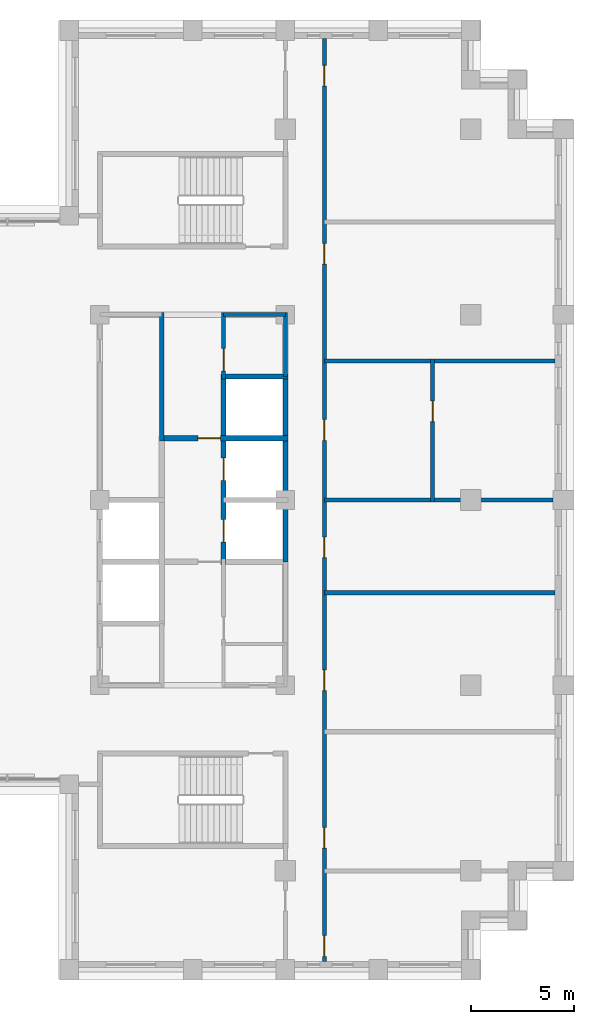
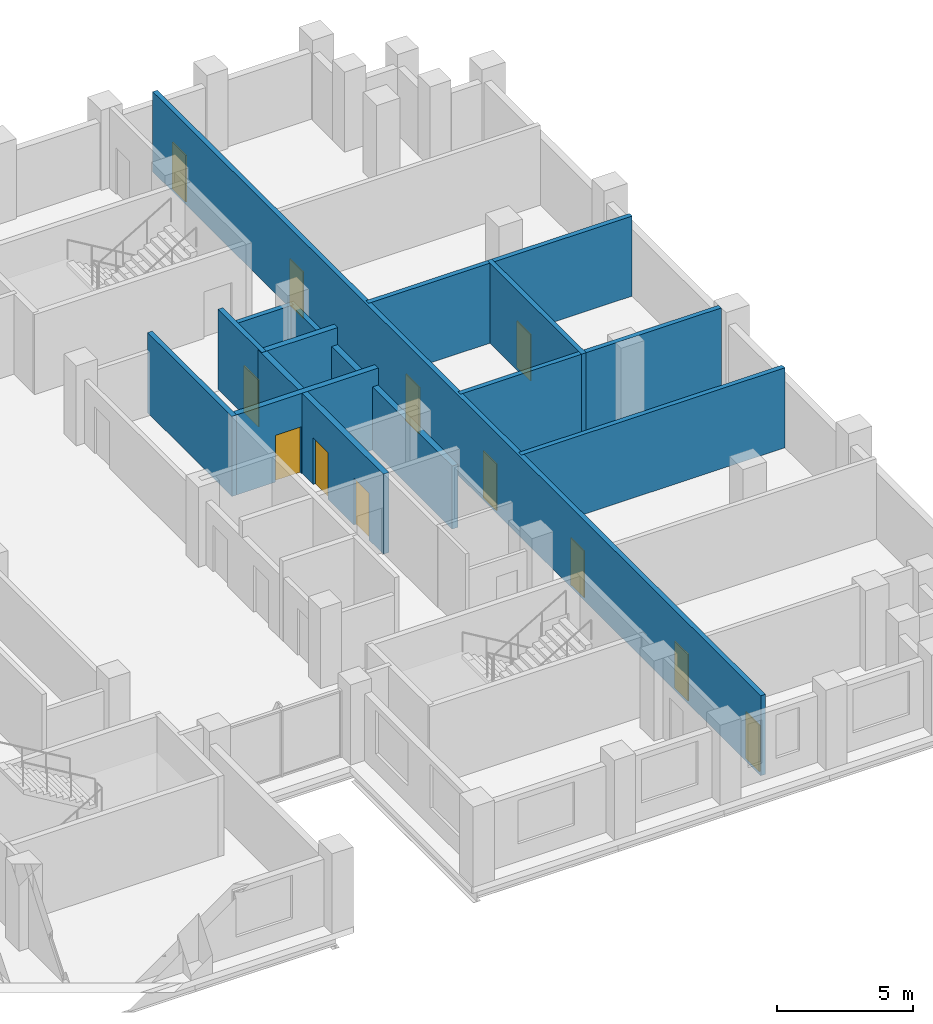
# One storey, part 9 of 15: 13 walls, 12 doors, 12 openings.
"""IFC4 building model written with IfcOpenShell, lengths in metres."""

from ifc_helpers import new_model, si_unit, direction, frame, frame_2d, origin, place, context, subcontext, project, spatial, rectangle, extrude, material, layer, layer_set, type_object, element, fill, save


model = new_model("IFC4")

# Units and contexts
model_context = context("Model", 3, precision=1e-05, world=origin(), true_north=direction((0.0, 1.0)))
body_context = subcontext(model_context, "Body", "Model", "MODEL_VIEW")
ifc_project = project(units=[si_unit("LENGTHUNIT", "METRE"), si_unit("AREAUNIT", "SQUARE_METRE"), si_unit("VOLUMEUNIT", "CUBIC_METRE"), si_unit("PLANEANGLEUNIT", "RADIAN"), si_unit("MASSUNIT", "GRAM", prefix="KILO")], contexts=[model_context])

# Site, building, storey
site_placement = place(None, origin())
site = spatial("IfcSite", under=ifc_project, at=site_placement, CompositionType="ELEMENT")
building_placement = place(site_placement, origin())
building = spatial("IfcBuilding", under=site, at=building_placement, Name="Corbelhall Arena Tower", CompositionType="ELEMENT")
storey_placement = place(building_placement, frame((0.0, 0.0, 232.0)))
storey = spatial("IfcBuildingStorey", under=building, at=storey_placement, Name="L49", CompositionType="ELEMENT", Elevation=232.0)

# Wall, openings, doors
ifc_material_1 = material(Name="Gypsum board on steel stud, acoustic", Category="steel")
ifc_layer_1 = layer(ifc_material_1, 0.199951171875)
ifc_layer_set_1 = layer_set([ifc_layer_1], Name="IN-W-DM200")
wall_type_1 = type_object("IfcWallType", Name="IN-W-DM200", PredefinedType="PARTITIONING", material=ifc_layer_set_1)
wall_1_placement = place(storey_placement, frame((15.39990234375, 22.39990234375, 0.0), z_axis=(0.0, 0.0, 1.0), x_axis=(0.0, -1.0, 0.0)))
wall_1 = element("IfcWall", 1, at=wall_1_placement, inside=storey, type_object=wall_type_1, Name="Partition 027", PredefinedType="PARTITIONING", context=body_context, shape_type="SweptSolid", body=[
    extrude(rectangle(XDim=44.7998046875, YDim=0.199951171875, at=frame_2d((22.39990234375, 0.0))), origin(), (0.0, 0.0, 1.0), 3.599609375),
])
opening_1_placement = place(wall_1_placement, frame((18.5, 0.0, 0.0)))
opening_1 = element("IfcOpeningElement", 2, at=opening_1_placement, cuts=wall_1, Name="Opening 15029", PredefinedType="OPENING", context=body_context, shape_type="SweptSolid", body=[
    extrude(rectangle(XDim=1.0, YDim=2.10009765625, at=frame_2d((0.5, 1.050048828125))), frame((0.0, 0.10009765625, 0.0), z_axis=(0.0, -1.0, 0.0), x_axis=(1.0, 0.0, 0.0)), (0.0, 0.0, 1.0), 0.199951171875),
])
opening_2_placement = place(wall_1_placement, frame((9.949951171875, 0.0, 0.0)))
opening_2 = element("IfcOpeningElement", 3, at=opening_2_placement, cuts=wall_1, Name="Opening 15031", PredefinedType="OPENING", context=body_context, shape_type="SweptSolid", body=[
    extrude(rectangle(XDim=1.0, YDim=2.10009765625, at=frame_2d((0.5, 1.050048828125))), frame((0.0, 0.10009765625, 0.0), z_axis=(0.0, -1.0, 0.0), x_axis=(1.0, 0.0, 0.0)), (0.0, 0.0, 1.0), 0.199951171875),
])
opening_3_placement = place(wall_1_placement, frame((1.300048828125, 0.0, 0.0)))
opening_3 = element("IfcOpeningElement", 4, at=opening_3_placement, cuts=wall_1, Name="Opening 15032", PredefinedType="OPENING", context=body_context, shape_type="SweptSolid", body=[
    extrude(rectangle(XDim=1.0, YDim=2.10009765625, at=frame_2d((0.5, 1.050048828125))), frame((0.0, 0.10009765625, 0.0), z_axis=(0.0, -1.0, 0.0), x_axis=(1.0, 0.0, 0.0)), (0.0, 0.0, 1.0), 0.199951171875),
])
opening_4_placement = place(wall_1_placement, frame((43.550048828125, 0.0, 0.0)))
opening_4 = element("IfcOpeningElement", 5, at=opening_4_placement, cuts=wall_1, Name="Opening 15033", PredefinedType="OPENING", context=body_context, shape_type="SweptSolid", body=[
    extrude(rectangle(XDim=1.0, YDim=2.10009765625, at=frame_2d((0.5, 1.050048828125))), frame((0.0, 0.10009765625, 0.0), z_axis=(0.0, -1.0, 0.0), x_axis=(1.0, 0.0, 0.0)), (0.0, 0.0, 1.0), 0.199951171875),
])
opening_5_placement = place(wall_1_placement, frame((38.300048828125, 0.0, 0.0)))
opening_5 = element("IfcOpeningElement", 6, at=opening_5_placement, cuts=wall_1, Name="Opening 15034", PredefinedType="OPENING", context=body_context, shape_type="SweptSolid", body=[
    extrude(rectangle(XDim=1.0, YDim=2.10009765625, at=frame_2d((0.5, 1.050048828125))), frame((0.0, 0.10009765625, 0.0), z_axis=(0.0, -1.0, 0.0), x_axis=(1.0, 0.0, 0.0)), (0.0, 0.0, 1.0), 0.199951171875),
])
opening_6_placement = place(wall_1_placement, frame((30.64990234375, 0.0, 0.0)))
opening_6 = element("IfcOpeningElement", 7, at=opening_6_placement, cuts=wall_1, Name="Opening 15035", PredefinedType="OPENING", context=body_context, shape_type="SweptSolid", body=[
    extrude(rectangle(XDim=1.0, YDim=2.10009765625, at=frame_2d((0.5, 1.050048828125))), frame((0.0, 0.10009765625, 0.0), z_axis=(0.0, -1.0, 0.0), x_axis=(1.0, 0.0, 0.0)), (0.0, 0.0, 1.0), 0.199951171875),
])
opening_7_placement = place(wall_1_placement, frame((24.199951171875, 0.0, 0.0)))
opening_7 = element("IfcOpeningElement", 8, at=opening_7_placement, cuts=wall_1, Name="Opening 15036", PredefinedType="OPENING", context=body_context, shape_type="SweptSolid", body=[
    extrude(rectangle(XDim=1.0, YDim=2.10009765625, at=frame_2d((0.5, 1.050048828125))), frame((0.0, 0.10009765625, 0.0), z_axis=(0.0, -1.0, 0.0), x_axis=(1.0, 0.0, 0.0)), (0.0, 0.0, 1.0), 0.199951171875),
])
ifc_material_2 = material(Name="Steel door set", Category="steel")
door_type_1 = type_object("IfcDoorType", Name="IN-D-SW100", OperationType="NOTDEFINED", PredefinedType="DOOR", material=ifc_material_2)
door_1_placement = place(opening_1_placement, origin())
door_1 = element("IfcDoor", 9, at=door_1_placement, inside=storey, type_object=door_type_1, Name="Door 029", OperationType="SINGLE_SWING_RIGHT", OverallHeight=2.10009765625, OverallWidth=1.0, PredefinedType="DOOR", context=body_context, shape_type="SweptSolid", body=[
    extrude(rectangle(XDim=1.0, YDim=2.10009765625, at=frame_2d((0.5, 1.050048828125))), frame((0.0, 0.02490234375, 0.0), z_axis=(0.0, -1.0, 0.0), x_axis=(1.0, 0.0, 0.0)), (0.0, 0.0, 1.0), 0.050048828125),
])
fill(opening_1, door_1)
door_2_placement = place(opening_2_placement, origin())
door_2 = element("IfcDoor", 10, at=door_2_placement, inside=storey, type_object=door_type_1, Name="Door 031", OperationType="SINGLE_SWING_RIGHT", OverallHeight=2.10009765625, OverallWidth=1.0, PredefinedType="DOOR", context=body_context, shape_type="SweptSolid", body=[
    extrude(rectangle(XDim=1.0, YDim=2.10009765625, at=frame_2d((0.5, 1.050048828125))), frame((0.0, 0.02490234375, 0.0), z_axis=(0.0, -1.0, 0.0), x_axis=(1.0, 0.0, 0.0)), (0.0, 0.0, 1.0), 0.050048828125),
])
fill(opening_2, door_2)
door_3_placement = place(opening_3_placement, origin())
door_3 = element("IfcDoor", 11, at=door_3_placement, inside=storey, type_object=door_type_1, Name="Door 032", OperationType="SINGLE_SWING_LEFT", OverallHeight=2.10009765625, OverallWidth=1.0, PredefinedType="DOOR", context=body_context, shape_type="SweptSolid", body=[
    extrude(rectangle(XDim=1.0, YDim=2.10009765625, at=frame_2d((0.5, 1.050048828125))), frame((0.0, 0.02490234375, 0.0), z_axis=(0.0, -1.0, 0.0), x_axis=(1.0, 0.0, 0.0)), (0.0, 0.0, 1.0), 0.050048828125),
])
fill(opening_3, door_3)
door_4_placement = place(opening_4_placement, origin())
door_4 = element("IfcDoor", 12, at=door_4_placement, inside=storey, type_object=door_type_1, Name="Door 033", OperationType="SINGLE_SWING_RIGHT", OverallHeight=2.10009765625, OverallWidth=1.0, PredefinedType="DOOR", context=body_context, shape_type="SweptSolid", body=[
    extrude(rectangle(XDim=1.0, YDim=2.10009765625, at=frame_2d((0.5, 1.050048828125))), frame((0.0, 0.02490234375, 0.0), z_axis=(0.0, -1.0, 0.0), x_axis=(1.0, 0.0, 0.0)), (0.0, 0.0, 1.0), 0.050048828125),
])
fill(opening_4, door_4)
door_5_placement = place(opening_5_placement, origin())
door_5 = element("IfcDoor", 13, at=door_5_placement, inside=storey, type_object=door_type_1, Name="Door 034", OperationType="SINGLE_SWING_LEFT", OverallHeight=2.10009765625, OverallWidth=1.0, PredefinedType="DOOR", context=body_context, shape_type="SweptSolid", body=[
    extrude(rectangle(XDim=1.0, YDim=2.10009765625, at=frame_2d((0.5, 1.050048828125))), frame((0.0, 0.02490234375, 0.0), z_axis=(0.0, -1.0, 0.0), x_axis=(1.0, 0.0, 0.0)), (0.0, 0.0, 1.0), 0.050048828125),
])
fill(opening_5, door_5)
door_6_placement = place(opening_6_placement, origin())
door_6 = element("IfcDoor", 14, at=door_6_placement, inside=storey, type_object=door_type_1, Name="Door 035", OperationType="SINGLE_SWING_RIGHT", OverallHeight=2.10009765625, OverallWidth=1.0, PredefinedType="DOOR", context=body_context, shape_type="SweptSolid", body=[
    extrude(rectangle(XDim=1.0, YDim=2.10009765625, at=frame_2d((0.5, 1.050048828125))), frame((0.0, 0.02490234375, 0.0), z_axis=(0.0, -1.0, 0.0), x_axis=(1.0, 0.0, 0.0)), (0.0, 0.0, 1.0), 0.050048828125),
])
fill(opening_6, door_6)
door_7_placement = place(opening_7_placement, origin())
door_7 = element("IfcDoor", 15, at=door_7_placement, inside=storey, type_object=door_type_1, Name="Door 036", OperationType="SINGLE_SWING_LEFT", OverallHeight=2.10009765625, OverallWidth=1.0, PredefinedType="DOOR", context=body_context, shape_type="SweptSolid", body=[
    extrude(rectangle(XDim=1.0, YDim=2.10009765625, at=frame_2d((0.5, 1.050048828125))), frame((0.0, 0.02490234375, 0.0), z_axis=(0.0, -1.0, 0.0), x_axis=(1.0, 0.0, 0.0)), (0.0, 0.0, 1.0), 0.050048828125),
])
fill(opening_7, door_7)

# Walls
for number, where, z_axis, x_axis, name in (
    (16, (15.39990234375, -4.5, 0.0), (0.0, 0.0, 1.0), (1.0, 0.0, 0.0), "Partition 029"),
    (17, (15.39990234375, 6.75, 0.0), (0.0, 0.0, 1.0), (1.0, 0.0, 0.0), "Partition 030"),
):
    element("IfcWall", number, at=place(storey_placement, frame(where, z_axis=z_axis, x_axis=x_axis)), inside=storey, type_object=wall_type_1, Name=name, PredefinedType="PARTITIONING", context=body_context, shape_type="SweptSolid", body=[
        extrude(rectangle(XDim=11.2001953125, YDim=0.199951171875, at=frame_2d((5.60009765625, 0.0))), origin(), (0.0, 0.0, 1.0), 3.599609375),
    ])
wall_2_placement = place(storey_placement, frame((26.5, 0.0, 0.0), z_axis=(0.0, 0.0, 1.0), x_axis=(-1.0, 0.0, 0.0)))
element("IfcWall", 18, at=wall_2_placement, inside=storey, type_object=wall_type_1, Name="Partition 032", PredefinedType="PARTITIONING", context=body_context, shape_type="SweptSolid", body=[
    extrude(rectangle(XDim=11.10009765625, YDim=0.199951171875, at=frame_2d((5.550048828125, 0.0))), origin(), (0.0, 0.0, 1.0), 3.599609375),
])

# Wall, opening, door
wall_3_placement = place(storey_placement, frame((20.64990234375, 6.85009765625, 0.0), z_axis=(0.0, 0.0, 1.0), x_axis=(0.0, -1.0, 0.0)))
wall_3 = element("IfcWall", 19, at=wall_3_placement, inside=storey, type_object=wall_type_1, Name="Partition 033", PredefinedType="PARTITIONING", context=body_context, shape_type="SweptSolid", body=[
    extrude(rectangle(XDim=6.9501953125, YDim=0.199951171875, at=frame_2d((3.47509765625, 0.0))), origin(), (0.0, 0.0, 1.0), 3.599609375),
])
opening_8_placement = place(wall_3_placement, frame((2.050048828125, 0.0, 0.0)))
opening_8 = element("IfcOpeningElement", 20, at=opening_8_placement, cuts=wall_3, Name="Opening 15030", PredefinedType="OPENING", context=body_context, shape_type="SweptSolid", body=[
    extrude(rectangle(XDim=1.0, YDim=2.10009765625, at=frame_2d((0.5, 1.050048828125))), frame((0.0, 0.10009765625, 0.0), z_axis=(0.0, -1.0, 0.0), x_axis=(1.0, 0.0, 0.0)), (0.0, 0.0, 1.0), 0.199951171875),
])
door_8_placement = place(opening_8_placement, origin())
door_8 = element("IfcDoor", 21, at=door_8_placement, inside=storey, type_object=door_type_1, Name="Door 030", OperationType="SINGLE_SWING_LEFT", OverallHeight=2.10009765625, OverallWidth=1.0, PredefinedType="DOOR", context=body_context, shape_type="SweptSolid", body=[
    extrude(rectangle(XDim=1.0, YDim=2.10009765625, at=frame_2d((0.5, 1.050048828125))), frame((0.0, 0.02490234375, 0.0), z_axis=(0.0, -1.0, 0.0), x_axis=(1.0, 0.0, 0.0)), (0.0, 0.0, 1.0), 0.050048828125),
])
fill(opening_8, door_8)

# Wall
ifc_material_3 = material(Name="Concrete block wall", Category="concrete")
ifc_layer_2 = layer(ifc_material_3, 0.199951171875)
ifc_layer_set_2 = layer_set([ifc_layer_2], Name="IN-W-RS200")
wall_type_2 = type_object("IfcWallType", Name="IN-W-RS200", PredefinedType="SOLIDWALL", material=ifc_layer_set_2)
wall_4_placement = place(storey_placement, frame((7.5, 9.10009765625, 0.0), z_axis=(0.0, 0.0, 1.0), x_axis=(0.0, -1.0, 0.0)))
element("IfcWall", 22, at=wall_4_placement, inside=storey, type_object=wall_type_2, Name="Partition 048", PredefinedType="SOLIDWALL", context=body_context, shape_type="SweptSolid", body=[
    extrude(rectangle(XDim=6.22509765625, YDim=0.199951171875, at=frame_2d((3.112548828125, 0.0))), origin(), (0.0, 0.0, 1.0), 3.599609375),
])

# Wall, opening, door
wall_5_placement = place(storey_placement, frame((10.5, 9.10009765625, 0.0), z_axis=(0.0, 0.0, 1.0), x_axis=(0.0, -1.0, 0.0)))
wall_5 = element("IfcWall", 23, at=wall_5_placement, inside=storey, type_object=wall_type_2, Name="Partition 051", PredefinedType="SOLIDWALL", context=body_context, shape_type="SweptSolid", body=[
    extrude(rectangle(XDim=3.22509765625, YDim=0.199951171875, at=frame_2d((1.612548828125, 0.0))), origin(), (0.0, 0.0, 1.0), 3.599609375),
])
opening_9_placement = place(wall_5_placement, frame((1.75, 0.0, 0.0)))
opening_9 = element("IfcOpeningElement", 24, at=opening_9_placement, cuts=wall_5, Name="Opening 15014", PredefinedType="OPENING", context=body_context, shape_type="SweptSolid", body=[
    extrude(rectangle(XDim=1.10009765625, YDim=2.10009765625, at=frame_2d((0.550048828125, 1.050048828125))), frame((0.0, 0.10009765625, 0.0), z_axis=(0.0, -1.0, 0.0), x_axis=(1.0, 0.0, 0.0)), (0.0, 0.0, 1.0), 0.199951171875),
])
door_type_2 = type_object("IfcDoorType", Name="IN-D-FD110", OperationType="NOTDEFINED", PredefinedType="DOOR", material=ifc_material_2)
door_9_placement = place(opening_9_placement, origin())
door_9 = element("IfcDoor", 25, at=door_9_placement, inside=storey, type_object=door_type_2, Name="Door 014", OperationType="SINGLE_SWING_LEFT", OverallHeight=2.10009765625, OverallWidth=1.10009765625, PredefinedType="DOOR", context=body_context, shape_type="SweptSolid", body=[
    extrude(rectangle(XDim=1.10009765625, YDim=2.10009765625, at=frame_2d((0.550048828125, 1.050048828125))), frame((0.0, 0.02490234375, 0.0), z_axis=(0.0, -1.0, 0.0), x_axis=(1.0, 0.0, 0.0)), (0.0, 0.0, 1.0), 0.050048828125),
])
fill(opening_9, door_9)

# Walls
ifc_layer_3 = layer(ifc_material_3, 0.199951171875)
ifc_layer_set_3 = layer_set([ifc_layer_3], Name="IN-W-RS200 under beam 762 mm")
wall_type_3 = type_object("IfcWallType", Name="IN-W-RS200 under beam 762 mm", PredefinedType="SOLIDWALL", material=ifc_layer_set_3)
wall_6_placement = place(storey_placement, frame((10.5, 9.0, 0.0), z_axis=(0.0, 0.0, 1.0), x_axis=(1.0, 0.0, 0.0)))
element("IfcWall", 26, at=wall_6_placement, inside=storey, type_object=wall_type_3, Name="Partition 050", PredefinedType="SOLIDWALL", context=body_context, shape_type="SweptSolid", body=[
    extrude(rectangle(XDim=3.0, YDim=0.199951171875, at=frame_2d((1.5, 0.0))), origin(), (0.0, 0.0, 1.0), 2.837646484375),
])
wall_7_placement = place(storey_placement, frame((13.5, 9.10009765625, 0.0), z_axis=(0.0, 0.0, 1.0), x_axis=(0.0, -1.0, 0.0)))
element("IfcWall", 27, at=wall_7_placement, inside=storey, type_object=wall_type_3, Name="Partition 053", PredefinedType="SOLIDWALL", context=body_context, shape_type="SweptSolid", body=[
    extrude(rectangle(XDim=3.10009765625, YDim=0.199951171875, at=frame_2d((1.550048828125, 0.0))), origin(), (0.0, 0.0, 1.0), 2.837646484375),
])

# Wall, opening, door
ifc_material_4 = material(Name="Concrete C40/50", Category="concrete")
ifc_layer_4 = layer(ifc_material_4, 0.25)
ifc_layer_set_4 = layer_set([ifc_layer_4], Name="IN-W-SH250")
wall_type_4 = type_object("IfcWallType", Name="IN-W-SH250", PredefinedType="SOLIDWALL", material=ifc_layer_set_4)
wall_8_placement = place(storey_placement, frame((7.5, 3.0, 0.0), z_axis=(0.0, 0.0, 1.0), x_axis=(1.0, 0.0, 0.0)))
wall_8 = element("IfcWall", 28, at=wall_8_placement, inside=storey, type_object=wall_type_4, Name="Shaft wall 068", PredefinedType="SOLIDWALL", context=body_context, shape_type="SweptSolid", body=[
    extrude(rectangle(XDim=6.125, YDim=0.25, at=frame_2d((3.0625, 0.0))), origin(), (0.0, 0.0, 1.0), 3.599609375),
])
opening_10_placement = place(wall_8_placement, frame((1.75, 0.0, 0.0)))
opening_10 = element("IfcOpeningElement", 29, at=opening_10_placement, cuts=wall_8, Name="Opening 15011", PredefinedType="OPENING", context=body_context, shape_type="SweptSolid", body=[
    extrude(rectangle(XDim=1.10009765625, YDim=2.10009765625, at=frame_2d((0.550048828125, 1.050048828125))), frame((0.0, 0.125, 0.0), z_axis=(0.0, -1.0, 0.0), x_axis=(1.0, 0.0, 0.0)), (0.0, 0.0, 1.0), 0.25),
])
door_10_placement = place(opening_10_placement, origin())
door_10 = element("IfcDoor", 30, at=door_10_placement, inside=storey, type_object=door_type_2, Name="Door 011", OperationType="SINGLE_SWING_RIGHT", OverallHeight=2.10009765625, OverallWidth=1.10009765625, PredefinedType="DOOR", context=body_context, shape_type="SweptSolid", body=[
    extrude(rectangle(XDim=1.10009765625, YDim=2.10009765625, at=frame_2d((0.550048828125, 1.050048828125))), frame((0.0, 0.02490234375, 0.0), z_axis=(0.0, -1.0, 0.0), x_axis=(1.0, 0.0, 0.0)), (0.0, 0.0, 1.0), 0.050048828125),
])
fill(opening_10, door_10)

# Wall, openings, doors
wall_9_placement = place(storey_placement, frame((10.5, 6.125, 0.0), z_axis=(0.0, 0.0, 1.0), x_axis=(0.0, -1.0, 0.0)))
wall_9 = element("IfcWall", 31, at=wall_9_placement, inside=storey, type_object=wall_type_4, Name="Shaft wall 070", PredefinedType="SOLIDWALL", context=body_context, shape_type="SweptSolid", body=[
    extrude(rectangle(XDim=9.25, YDim=0.25, at=frame_2d((4.625, 0.0))), origin(), (0.0, 0.0, 1.0), 3.599609375),
])
opening_11_placement = place(wall_9_placement, frame((7.074951171875, 0.0, 0.0)))
opening_11 = element("IfcOpeningElement", 32, at=opening_11_placement, cuts=wall_9, Name="Opening LD", PredefinedType="OPENING", context=body_context, shape_type="SweptSolid", body=[
    extrude(rectangle(XDim=1.10009765625, YDim=2.10009765625, at=frame_2d((0.550048828125, 1.050048828125))), frame((0.0, 0.125, 0.0), z_axis=(0.0, -1.0, 0.0), x_axis=(1.0, 0.0, 0.0)), (0.0, 0.0, 1.0), 0.25),
])
opening_12_placement = place(wall_9_placement, frame((4.074951171875, 0.0, 0.0)))
opening_12 = element("IfcOpeningElement", 33, at=opening_12_placement, cuts=wall_9, Name="Opening LD", PredefinedType="OPENING", context=body_context, shape_type="SweptSolid", body=[
    extrude(rectangle(XDim=1.10009765625, YDim=2.10009765625, at=frame_2d((0.550048828125, 1.050048828125))), frame((0.0, 0.125, 0.0), z_axis=(0.0, -1.0, 0.0), x_axis=(1.0, 0.0, 0.0)), (0.0, 0.0, 1.0), 0.25),
])
door_type_3 = type_object("IfcDoorType", Name="IN-D-LD110", OperationType="NOTDEFINED", PredefinedType="DOOR", material=ifc_material_2)
door_11_placement = place(opening_11_placement, origin())
door_11 = element("IfcDoor", 34, at=door_11_placement, inside=storey, type_object=door_type_3, Name="Landing door E3", OperationType="SLIDING_TO_LEFT", OverallHeight=2.10009765625, OverallWidth=1.10009765625, PredefinedType="DOOR", context=body_context, shape_type="SweptSolid", body=[
    extrude(rectangle(XDim=1.10009765625, YDim=2.10009765625, at=frame_2d((0.550048828125, 1.050048828125))), frame((0.0, 0.02490234375, 0.0), z_axis=(0.0, -1.0, 0.0), x_axis=(1.0, 0.0, 0.0)), (0.0, 0.0, 1.0), 0.050048828125),
])
fill(opening_11, door_11)
door_12_placement = place(opening_12_placement, origin())
door_12 = element("IfcDoor", 35, at=door_12_placement, inside=storey, type_object=door_type_3, Name="Landing door E4", OperationType="SLIDING_TO_LEFT", OverallHeight=2.10009765625, OverallWidth=1.10009765625, PredefinedType="DOOR", context=body_context, shape_type="SweptSolid", body=[
    extrude(rectangle(XDim=1.10009765625, YDim=2.10009765625, at=frame_2d((0.550048828125, 1.050048828125))), frame((0.0, 0.02490234375, 0.0), z_axis=(0.0, -1.0, 0.0), x_axis=(1.0, 0.0, 0.0)), (0.0, 0.0, 1.0), 0.050048828125),
])
fill(opening_12, door_12)

# Walls
wall_10_placement = place(storey_placement, frame((10.5, 6.0, 0.0), z_axis=(0.0, 0.0, 1.0), x_axis=(1.0, 0.0, 0.0)))
element("IfcWall", 36, at=wall_10_placement, inside=storey, type_object=wall_type_4, Name="Shaft wall 071", PredefinedType="SOLIDWALL", context=body_context, shape_type="SweptSolid", body=[
    extrude(rectangle(XDim=3.125, YDim=0.25, at=frame_2d((1.5625, 0.0))), origin(), (0.0, 0.0, 1.0), 3.599609375),
])
ifc_layer_5 = layer(ifc_material_4, 0.25)
ifc_layer_set_5 = layer_set([ifc_layer_5], Name="IN-W-SH250 under beam 762 mm")
wall_type_5 = type_object("IfcWallType", Name="IN-W-SH250 under beam 762 mm", PredefinedType="SOLIDWALL", material=ifc_layer_set_5)
wall_11_placement = place(storey_placement, frame((13.5, 6.0, 0.0), z_axis=(0.0, 0.0, 1.0), x_axis=(0.0, -1.0, 0.0)))
element("IfcWall", 37, at=wall_11_placement, inside=storey, type_object=wall_type_5, Name="Shaft wall 072", PredefinedType="SOLIDWALL", context=body_context, shape_type="SweptSolid", body=[
    extrude(rectangle(XDim=9.0, YDim=0.25, at=frame_2d((4.5, 0.0))), origin(), (0.0, 0.0, 1.0), 2.837646484375),
])

save(model, "model.ifc")
